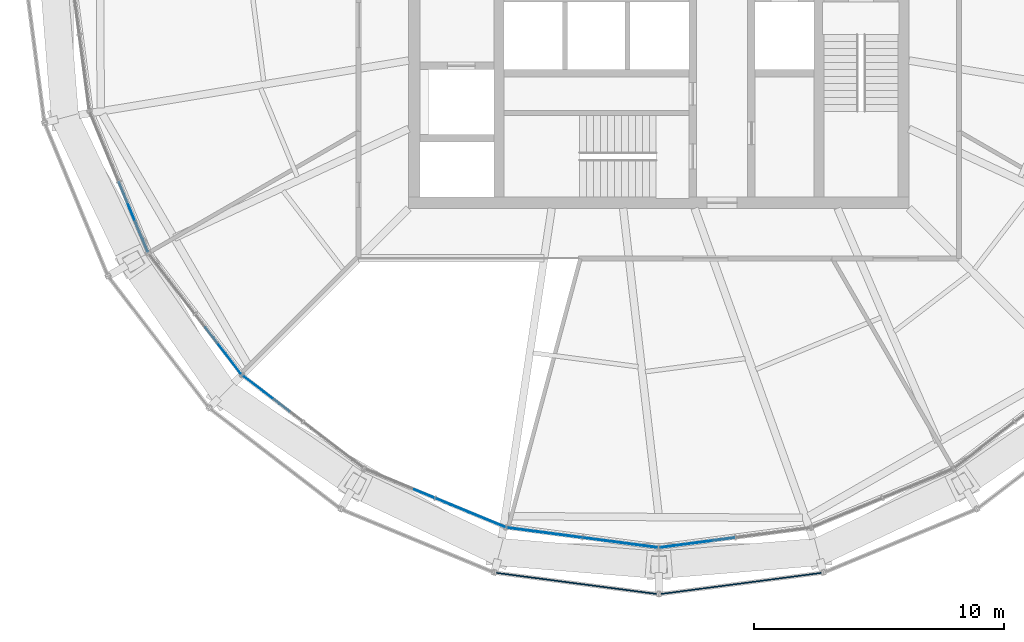
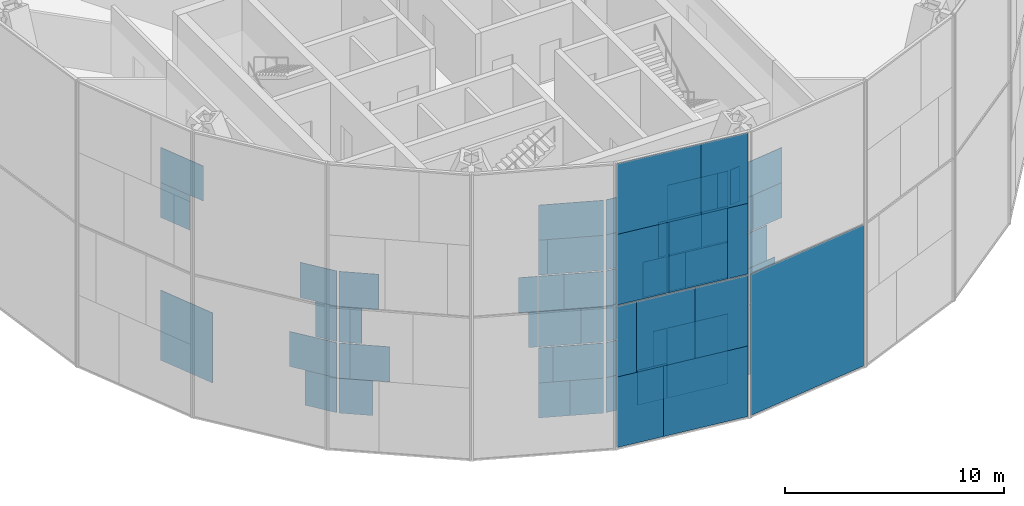
# One storey, part 12 of 26: 62 plates, 8 elements without a shape of their own.
"""IFC4 building model written with IfcOpenShell, lengths in metres."""

from ifc_helpers import new_model, si_unit, direction, frame, origin, origin_2d, place, context, subcontext, project, spatial, rectangle, extrude, material, layer, layer_set, type_object, element, aggregate, save


model = new_model("IFC4")

# Units and contexts
model_context = context("Model", 3, precision=1e-05, world=origin(), true_north=direction((0.0, 1.0)))
body_context = subcontext(model_context, "Body", "Model", "MODEL_VIEW")
ifc_project = project(units=[si_unit("LENGTHUNIT", "METRE"), si_unit("AREAUNIT", "SQUARE_METRE"), si_unit("VOLUMEUNIT", "CUBIC_METRE"), si_unit("PLANEANGLEUNIT", "RADIAN"), si_unit("MASSUNIT", "GRAM", prefix="KILO")], contexts=[model_context])

# Site, building, storey
site_placement = place(None, origin())
site = spatial("IfcSite", under=ifc_project, at=site_placement, CompositionType="ELEMENT")
building_placement = place(site_placement, origin())
building = spatial("IfcBuilding", under=site, at=building_placement, Name="Golbaran Civic Tower", CompositionType="ELEMENT")
storey_placement = place(building_placement, frame((0.0, 0.0, 199.0)))
storey = spatial("IfcBuildingStorey", under=building, at=storey_placement, Name="L48", CompositionType="ELEMENT", Elevation=199.0)

# Curtain wall, plate
ifc_material_1 = material(Name="Aluminium and glass", Category="aluminium")
curtain_wall_type_1 = type_object("IfcCurtainWallType", Name="INNER SKIN CURTAIN WALL EXECUTIVE", PredefinedType="NOTDEFINED", material=ifc_material_1)
curtain_wall_1_placement = place(storey_placement, origin())
curtain_wall_1 = element("IfcCurtainWall", 1, at=curtain_wall_1_placement, inside=storey, type_object=curtain_wall_type_1, Name="Inner skin L48 facet 14 CW2", ObjectType="INNER SKIN", PredefinedType="USERDEFINED")
ifc_material_2 = material(Name="Clear insulating glass", Category="glass")
ifc_layer_1 = layer(ifc_material_2, 0.031982421875, Name="Clear insulating glass")
ifc_layer_set_1 = layer_set([ifc_layer_1], Name="Clear insulating glass")
plate_type_1 = type_object("IfcPlateType", Name="INNER SKIN CURTAIN WALL EXECUTIVE GLAZED PANEL", PredefinedType="CURTAIN_PANEL", material=ifc_layer_set_1)
plate_1_placement = place(storey_placement, frame((-21.00390625, -10.3486328125, 0.06005859375), z_axis=(0.0, 0.0, 1.0), x_axis=(0.382683432349, -0.923879532518, 0.0)))
plate_1 = element("IfcPlate", 2, at=plate_1_placement, type_object=plate_type_1, Name="CW2 panel 2.1", PredefinedType="CURTAIN_PANEL", context=body_context, shape_type="SweptSolid", body=[
    extrude(rectangle(XDim=2.986083984375, YDim=0.031982421875, at=origin_2d()), origin(), (0.0, 0.0, 1.0), 3.909912109375),
])

# Curtain wall, plates
curtain_wall_2_placement = place(storey_placement, origin())
curtain_wall_2 = element("IfcCurtainWall", 3, at=curtain_wall_2_placement, inside=storey, type_object=curtain_wall_type_1, Name="Inner skin L48 facet 15 CW2", ObjectType="INNER SKIN", PredefinedType="USERDEFINED")
plate_2_placement = place(storey_placement, frame((-17.0166015625, -16.205322265625, 4.02978515625), z_axis=(0.0, 0.0, 1.0), x_axis=(0.60876142905, -0.793353340259, 0.0)))
plate_2 = element("IfcPlate", 4, at=plate_2_placement, type_object=plate_type_1, Name="CW2 panel 2.2 part 2", PredefinedType="CURTAIN_PANEL", context=body_context, shape_type="SweptSolid", body=[
    extrude(rectangle(XDim=1.037109375, YDim=0.031982421875, at=origin_2d()), origin(), (0.0, 0.0, 1.0), 1.969970703125),
])
plate_3_placement = place(storey_placement, frame((-17.255615234375, -15.89404296875, 6.0), z_axis=(0.0, 0.0, 1.0), x_axis=(0.60876142905, -0.793353340259, 0.0)))
plate_3 = element("IfcPlate", 5, at=plate_3_placement, type_object=plate_type_1, Name="CW2 panel 2.2 part 4", PredefinedType="CURTAIN_PANEL", context=body_context, shape_type="SweptSolid", body=[
    extrude(rectangle(XDim=1.822021484375, YDim=0.031982421875, at=origin_2d()), origin(), (0.0, 0.0, 1.0), 1.969970703125),
])

curtain_wall_3_placement = place(storey_placement, origin())
curtain_wall_3 = element("IfcCurtainWall", 6, at=curtain_wall_3_placement, inside=storey, type_object=curtain_wall_type_1, Name="Inner skin L48 facet 16 CW2", ObjectType="INNER SKIN", PredefinedType="USERDEFINED")
plate_4_placement = place(storey_placement, frame((-16.205322265625, -17.0166015625, 4.02978515625), z_axis=(0.0, 0.0, 1.0), x_axis=(0.793353340259, -0.60876142905, 0.0)))
plate_4 = element("IfcPlate", 7, at=plate_4_placement, type_object=plate_type_1, Name="CW2 panel 1.2 part 1", PredefinedType="CURTAIN_PANEL", context=body_context, shape_type="SweptSolid", body=[
    extrude(rectangle(XDim=1.037109375, YDim=0.031982421875, at=origin_2d()), origin(), (0.0, 0.0, 1.0), 1.969970703125),
])
plate_5_placement = place(storey_placement, frame((-15.89404296875, -17.25537109375, 6.0), z_axis=(0.0, 0.0, 1.0), x_axis=(0.793353340259, -0.60876142905, 0.0)))
plate_5 = element("IfcPlate", 8, at=plate_5_placement, type_object=plate_type_1, Name="CW2 panel 1.2 part 3", PredefinedType="CURTAIN_PANEL", context=body_context, shape_type="SweptSolid", body=[
    extrude(rectangle(XDim=1.822021484375, YDim=0.031982421875, at=origin_2d()), origin(), (0.0, 0.0, 1.0), 1.969970703125),
])

curtain_wall_4_placement = place(storey_placement, origin())
curtain_wall_4 = element("IfcCurtainWall", 9, at=curtain_wall_4_placement, inside=storey, type_object=curtain_wall_type_1, Name="Inner skin L48 facet 17 CW2", ObjectType="INNER SKIN", PredefinedType="USERDEFINED")
plate_6_placement = place(storey_placement, frame((-8.251953125, -21.87255859375, 0.06005859375), z_axis=(0.0, 0.0, 1.0), x_axis=(0.923879532518, -0.382683432349, 0.0)))
plate_6 = element("IfcPlate", 10, at=plate_6_placement, type_object=plate_type_1, Name="CW2 panel 2.1 part 1", PredefinedType="CURTAIN_PANEL", context=body_context, shape_type="SweptSolid", body=[
    extrude(rectangle(XDim=1.43310546875, YDim=0.031982421875, at=origin_2d()), origin(), (0.0, 0.0, 1.0), 1.955078125),
])
plate_7_placement = place(storey_placement, frame((-8.61181640625, -21.723388671875, 2.014892578125), z_axis=(0.0, 0.0, 1.0), x_axis=(0.923879532518, -0.382683432349, 0.0)))
plate_7 = element("IfcPlate", 11, at=plate_7_placement, type_object=plate_type_1, Name="CW2 panel 2.1 part 3", PredefinedType="CURTAIN_PANEL", context=body_context, shape_type="SweptSolid", body=[
    extrude(rectangle(XDim=0.654052734375, YDim=0.031982421875, at=origin_2d()), origin(), (0.0, 0.0, 1.0), 1.955078125),
])
plate_8_placement = place(storey_placement, frame((-6.634033203125, -22.54248046875, 4.02978515625), z_axis=(0.0, 0.0, 1.0), x_axis=(0.923879532518, -0.382683432349, 0.0)))
plate_8 = element("IfcPlate", 12, at=plate_8_placement, type_object=plate_type_1, Name="CW2 panel 2.2 part 2", PredefinedType="CURTAIN_PANEL", context=body_context, shape_type="SweptSolid", body=[
    extrude(rectangle(XDim=1.037109375, YDim=0.031982421875, at=origin_2d()), origin(), (0.0, 0.0, 1.0), 1.969970703125),
])
plate_9_placement = place(storey_placement, frame((-6.996826171875, -22.392333984375, 6.0), z_axis=(0.0, 0.0, 1.0), x_axis=(0.923879532518, -0.382683432349, 0.0)))
plate_9 = element("IfcPlate", 13, at=plate_9_placement, type_object=plate_type_1, Name="CW2 panel 2.2 part 4", PredefinedType="CURTAIN_PANEL", context=body_context, shape_type="SweptSolid", body=[
    extrude(rectangle(XDim=1.822021484375, YDim=0.031982421875, at=origin_2d()), origin(), (0.0, 0.0, 1.0), 1.969970703125),
])
plate_10_placement = place(storey_placement, frame((-7.349609375, -22.24609375, 8.030029296875), z_axis=(0.0, 0.0, 1.0), x_axis=(0.923879532518, -0.382683432349, 0.0)))
plate_10 = element("IfcPlate", 14, at=plate_10_placement, type_object=plate_type_1, Name="CW2 panel 2.3 part 2", PredefinedType="CURTAIN_PANEL", context=body_context, shape_type="SweptSolid", body=[
    extrude(rectangle(XDim=2.586181640625, YDim=0.031982421875, at=origin_2d()), origin(), (0.0, 0.0, 1.0), 1.955078125),
])
plate_11_placement = place(storey_placement, frame((-7.534423828125, -22.169677734375, 9.98486328125), z_axis=(0.0, 0.0, 1.0), x_axis=(0.923879532518, -0.382683432349, 0.0)))
plate_11 = element("IfcPlate", 15, at=plate_11_placement, type_object=plate_type_1, Name="CW2 panel 2.3 part 3", PredefinedType="CURTAIN_PANEL", context=body_context, shape_type="SweptSolid", body=[
    extrude(rectangle(XDim=2.986083984375, YDim=0.031982421875, at=origin_2d()), origin(), (0.0, 0.0, 1.0), 1.955078125),
])

curtain_wall_5_placement = place(storey_placement, origin())
curtain_wall_5 = element("IfcCurtainWall", 16, at=curtain_wall_5_placement, inside=storey, type_object=curtain_wall_type_1, Name="Inner skin L48 facet 18 CW2", ObjectType="INNER SKIN", PredefinedType="USERDEFINED")
plate_12_placement = place(storey_placement, frame((-3.7900390625, -23.068115234375, 0.06005859375), z_axis=(0.0, 0.0, 1.0), x_axis=(0.991444861372, -0.130526192237, 0.0)))
plate_12 = element("IfcPlate", 17, at=plate_12_placement, type_object=plate_type_1, Name="CW2 panel 1.1 part 2", PredefinedType="CURTAIN_PANEL", context=body_context, shape_type="SweptSolid", body=[
    extrude(rectangle(XDim=1.43310546875, YDim=0.031982421875, at=origin_2d()), origin(), (0.0, 0.0, 1.0), 1.955078125),
])
plate_13_placement = place(storey_placement, frame((-3.40380859375, -23.118896484375, 2.014892578125), z_axis=(0.0, 0.0, 1.0), x_axis=(0.991444861372, -0.130526192237, 0.0)))
plate_13 = element("IfcPlate", 18, at=plate_13_placement, type_object=plate_type_1, Name="CW2 panel 1.1 part 4", PredefinedType="CURTAIN_PANEL", context=body_context, shape_type="SweptSolid", body=[
    extrude(rectangle(XDim=0.654052734375, YDim=0.031982421875, at=origin_2d()), origin(), (0.0, 0.0, 1.0), 1.955078125),
])
plate_14_placement = place(storey_placement, frame((-5.526123046875, -22.839599609375, 4.02978515625), z_axis=(0.0, 0.0, 1.0), x_axis=(0.991444861372, -0.130526192237, 0.0)))
plate_14 = element("IfcPlate", 19, at=plate_14_placement, type_object=plate_type_1, Name="CW2 panel 1.2 part 1", PredefinedType="CURTAIN_PANEL", context=body_context, shape_type="SweptSolid", body=[
    extrude(rectangle(XDim=1.037109375, YDim=0.031982421875, at=origin_2d()), origin(), (0.0, 0.0, 1.0), 1.969970703125),
])
plate_15_placement = place(storey_placement, frame((-5.136962890625, -22.890625, 6.0), z_axis=(0.0, 0.0, 1.0), x_axis=(0.991444861372, -0.130526192237, 0.0)))
plate_15 = element("IfcPlate", 20, at=plate_15_placement, type_object=plate_type_1, Name="CW2 panel 1.2 part 3", PredefinedType="CURTAIN_PANEL", context=body_context, shape_type="SweptSolid", body=[
    extrude(rectangle(XDim=1.822021484375, YDim=0.031982421875, at=origin_2d()), origin(), (0.0, 0.0, 1.0), 1.969970703125),
])
plate_16_placement = place(storey_placement, frame((-4.758544921875, -22.9404296875, 8.030029296875), z_axis=(0.0, 0.0, 1.0), x_axis=(0.991444861372, -0.130526192237, 0.0)))
plate_16 = element("IfcPlate", 21, at=plate_16_placement, type_object=plate_type_1, Name="CW2 panel 1.3 part 1", PredefinedType="CURTAIN_PANEL", context=body_context, shape_type="SweptSolid", body=[
    extrude(rectangle(XDim=2.5849609375, YDim=0.031982421875, at=origin_2d()), origin(), (0.0, 0.0, 1.0), 1.955078125),
])
plate_17_placement = place(storey_placement, frame((-4.559814453125, -22.966796875, 9.98486328125), z_axis=(0.0, 0.0, 1.0), x_axis=(0.991444861372, -0.130526192237, 0.0)))
plate_17 = element("IfcPlate", 22, at=plate_17_placement, type_object=plate_type_1, Name="CW2 panel 1.3 part 3", PredefinedType="CURTAIN_PANEL", context=body_context, shape_type="SweptSolid", body=[
    extrude(rectangle(XDim=2.986083984375, YDim=0.031982421875, at=origin_2d()), origin(), (0.0, 0.0, 1.0), 1.955078125),
])
plate_18_placement = place(storey_placement, frame((-1.539794921875, -23.3642578125, 0.06005859375), z_axis=(0.0, 0.0, 1.0), x_axis=(0.991444861372, -0.130526192237, 0.0)))
plate_18 = element("IfcPlate", 23, at=plate_18_placement, type_object=plate_type_1, Name="CW2 panel 2.1", PredefinedType="CURTAIN_PANEL", context=body_context, shape_type="SweptSolid", body=[
    extrude(rectangle(XDim=2.986083984375, YDim=0.031982421875, at=origin_2d()), origin(), (0.0, 0.0, 1.0), 3.909912109375),
])
plate_19_placement = place(storey_placement, frame((-1.341552734375, -23.390380859375, 4.02978515625), z_axis=(0.0, 0.0, 1.0), x_axis=(0.991444861372, -0.130526192237, 0.0)))
plate_19 = element("IfcPlate", 24, at=plate_19_placement, type_object=plate_type_1, Name="CW2 panel 2.2 part 2", PredefinedType="CURTAIN_PANEL", context=body_context, shape_type="SweptSolid", body=[
    extrude(rectangle(XDim=2.586181640625, YDim=0.031982421875, at=origin_2d()), origin(), (0.0, 0.0, 1.0), 1.969970703125),
])
plate_20_placement = place(storey_placement, frame((-1.10400390625, -23.421630859375, 6.0), z_axis=(0.0, 0.0, 1.0), x_axis=(0.991444861372, -0.130526192237, 0.0)))
plate_20 = element("IfcPlate", 25, at=plate_20_placement, type_object=plate_type_1, Name="CW2 panel 2.2 part 4", PredefinedType="CURTAIN_PANEL", context=body_context, shape_type="SweptSolid", body=[
    extrude(rectangle(XDim=2.107177734375, YDim=0.031982421875, at=origin_2d()), origin(), (0.0, 0.0, 1.0), 1.969970703125),
])
plate_21_placement = place(storey_placement, frame((-0.7060546875, -23.47412109375, 8.030029296875), z_axis=(0.0, 0.0, 1.0), x_axis=(0.991444861372, -0.130526192237, 0.0)))
plate_21 = element("IfcPlate", 26, at=plate_21_placement, type_object=plate_type_1, Name="CW2 panel 2.3 part 2", PredefinedType="CURTAIN_PANEL", context=body_context, shape_type="SweptSolid", body=[
    extrude(rectangle(XDim=1.30419921875, YDim=0.031982421875, at=origin_2d()), origin(), (0.0, 0.0, 1.0), 1.955078125),
])
plate_22_placement = place(storey_placement, frame((-0.31982421875, -23.52490234375, 9.98486328125), z_axis=(0.0, 0.0, 1.0), x_axis=(0.991444861372, -0.130526192237, 0.0)))
plate_22 = element("IfcPlate", 27, at=plate_22_placement, type_object=plate_type_1, Name="CW2 panel 2.3 part 4", PredefinedType="CURTAIN_PANEL", context=body_context, shape_type="SweptSolid", body=[
    extrude(rectangle(XDim=0.525146484375, YDim=0.031982421875, at=origin_2d()), origin(), (0.0, 0.0, 1.0), 1.955078125),
])

curtain_wall_6_placement = place(storey_placement, origin())
curtain_wall_6 = element("IfcCurtainWall", 28, at=curtain_wall_6_placement, inside=storey, type_object=curtain_wall_type_1, Name="Inner skin L48 facet 19 CW2", ObjectType="INNER SKIN", PredefinedType="USERDEFINED")
plate_23_placement = place(storey_placement, frame((1.539794921875, -23.3642578125, 0.06005859375), z_axis=(0.0, 0.0, 1.0), x_axis=(0.991444861372, 0.130526192237, 0.0)))
plate_23 = element("IfcPlate", 29, at=plate_23_placement, type_object=plate_type_1, Name="CW2 panel 1.1", PredefinedType="CURTAIN_PANEL", context=body_context, shape_type="SweptSolid", body=[
    extrude(rectangle(XDim=2.986083984375, YDim=0.031982421875, at=origin_2d()), origin(), (0.0, 0.0, 1.0), 3.909912109375),
])
plate_24_placement = place(storey_placement, frame((1.3408203125, -23.390380859375, 4.02978515625), z_axis=(0.0, 0.0, 1.0), x_axis=(0.991444861372, 0.130526192237, 0.0)))
plate_24 = element("IfcPlate", 30, at=plate_24_placement, type_object=plate_type_1, Name="CW2 panel 1.2 part 1", PredefinedType="CURTAIN_PANEL", context=body_context, shape_type="SweptSolid", body=[
    extrude(rectangle(XDim=2.5849609375, YDim=0.031982421875, at=origin_2d()), origin(), (0.0, 0.0, 1.0), 1.969970703125),
])
plate_25_placement = place(storey_placement, frame((1.10400390625, -23.421630859375, 6.0), z_axis=(0.0, 0.0, 1.0), x_axis=(0.991444861372, 0.130526192237, 0.0)))
plate_25 = element("IfcPlate", 31, at=plate_25_placement, type_object=plate_type_1, Name="CW2 panel 1.2 part 3", PredefinedType="CURTAIN_PANEL", context=body_context, shape_type="SweptSolid", body=[
    extrude(rectangle(XDim=2.10693359375, YDim=0.031982421875, at=origin_2d()), origin(), (0.0, 0.0, 1.0), 1.969970703125),
])
plate_26_placement = place(storey_placement, frame((0.705810546875, -23.47412109375, 8.030029296875), z_axis=(0.0, 0.0, 1.0), x_axis=(0.991444861372, 0.130526192237, 0.0)))
plate_26 = element("IfcPlate", 32, at=plate_26_placement, type_object=plate_type_1, Name="CW2 panel 1.3 part 1", PredefinedType="CURTAIN_PANEL", context=body_context, shape_type="SweptSolid", body=[
    extrude(rectangle(XDim=1.303955078125, YDim=0.031982421875, at=origin_2d()), origin(), (0.0, 0.0, 1.0), 1.955078125),
])
plate_27_placement = place(storey_placement, frame((0.31982421875, -23.52490234375, 9.98486328125), z_axis=(0.0, 0.0, 1.0), x_axis=(0.991444861372, 0.130526192237, 0.0)))
plate_27 = element("IfcPlate", 33, at=plate_27_placement, type_object=plate_type_1, Name="CW2 panel 1.3 part 3", PredefinedType="CURTAIN_PANEL", context=body_context, shape_type="SweptSolid", body=[
    extrude(rectangle(XDim=0.52490234375, YDim=0.031982421875, at=origin_2d()), origin(), (0.0, 0.0, 1.0), 1.955078125),
])

# Plate
ifc_material_3 = material(Name="Aluminium faced opaque infill panel", Category="aluminium")
ifc_layer_2 = layer(ifc_material_3, 0.031982421875, Name="Aluminium faced opaque infill panel")
ifc_layer_set_2 = layer_set([ifc_layer_2], Name="Aluminium faced opaque infill panel")
plate_type_2 = type_object("IfcPlateType", Name="INNER SKIN CURTAIN WALL EXECUTIVE OPAQUE INFILL PANEL", PredefinedType="CURTAIN_PANEL", material=ifc_layer_set_2)
plate_28_placement = place(storey_placement, frame((-21.25341796875, -9.746337890625, 8.030029296875), z_axis=(0.0, 0.0, 1.0), x_axis=(0.382683432349, -0.923879532518, 0.0)))
plate_28 = element("IfcPlate", 34, at=plate_28_placement, type_object=plate_type_2, Name="CW2 infill panel 2.3 part 1", PredefinedType="CURTAIN_PANEL", context=body_context, shape_type="SweptSolid", body=[
    extrude(rectangle(XDim=1.681884765625, YDim=0.031982421875, at=origin_2d()), origin(), (0.0, 0.0, 1.0), 1.955078125),
])

plate_29_placement = place(storey_placement, frame((-21.1044921875, -10.106201171875, 9.98486328125), z_axis=(0.0, 0.0, 1.0), x_axis=(0.382683432349, -0.923879532518, 0.0)))
plate_29 = element("IfcPlate", 35, at=plate_29_placement, type_object=plate_type_2, Name="CW2 infill panel 2.3 part 3", PredefinedType="CURTAIN_PANEL", context=body_context, shape_type="SweptSolid", body=[
    extrude(rectangle(XDim=2.4609375, YDim=0.031982421875, at=origin_2d()), origin(), (0.0, 0.0, 1.0), 1.955078125),
])

aggregate(curtain_wall_1, [plate_1, plate_28, plate_29])

plate_30_placement = place(storey_placement, frame((-17.173583984375, -16.000732421875, 0.06005859375), z_axis=(0.0, 0.0, 1.0), x_axis=(0.60876142905, -0.793353340259, 0.0)))
plate_30 = element("IfcPlate", 36, at=plate_30_placement, type_object=plate_type_2, Name="CW2 infill panel 2.1 part 2", PredefinedType="CURTAIN_PANEL", context=body_context, shape_type="SweptSolid", body=[
    extrude(rectangle(XDim=1.55322265625, YDim=0.031982421875, at=origin_2d()), origin(), (0.0, 0.0, 1.0), 1.955078125),
])

plate_31_placement = place(storey_placement, frame((-17.41064453125, -15.691650390625, 2.014892578125), z_axis=(0.0, 0.0, 1.0), x_axis=(0.60876142905, -0.793353340259, 0.0)))
plate_31 = element("IfcPlate", 37, at=plate_31_placement, type_object=plate_type_2, Name="CW2 infill panel 2.1 part 4", PredefinedType="CURTAIN_PANEL", context=body_context, shape_type="SweptSolid", body=[
    extrude(rectangle(XDim=2.33203125, YDim=0.031982421875, at=origin_2d()), origin(), (0.0, 0.0, 1.0), 1.955078125),
])

aggregate(curtain_wall_2, [plate_30, plate_31, plate_2, plate_3])

plate_32_placement = place(storey_placement, frame((-16.000732421875, -17.173583984375, 0.06005859375), z_axis=(0.0, 0.0, 1.0), x_axis=(0.793353340259, -0.60876142905, 0.0)))
plate_32 = element("IfcPlate", 38, at=plate_32_placement, type_object=plate_type_2, Name="CW2 infill panel 1.1 part 1", PredefinedType="CURTAIN_PANEL", context=body_context, shape_type="SweptSolid", body=[
    extrude(rectangle(XDim=1.552978515625, YDim=0.031982421875, at=origin_2d()), origin(), (0.0, 0.0, 1.0), 1.955078125),
])

plate_33_placement = place(storey_placement, frame((-15.691650390625, -17.41064453125, 2.014892578125), z_axis=(0.0, 0.0, 1.0), x_axis=(0.793353340259, -0.60876142905, 0.0)))
plate_33 = element("IfcPlate", 39, at=plate_33_placement, type_object=plate_type_2, Name="CW2 infill panel 1.1 part 3", PredefinedType="CURTAIN_PANEL", context=body_context, shape_type="SweptSolid", body=[
    extrude(rectangle(XDim=2.33203125, YDim=0.031982421875, at=origin_2d()), origin(), (0.0, 0.0, 1.0), 1.955078125),
])

aggregate(curtain_wall_3, [plate_32, plate_33, plate_4, plate_5])

plate_34_placement = place(storey_placement, frame((-9.154541015625, -21.49853515625, 4.02978515625), z_axis=(0.0, 0.0, 1.0), x_axis=(0.923879532518, -0.382683432349, 0.0)))
plate_34 = element("IfcPlate", 40, at=plate_34_placement, type_object=plate_type_2, Name="CW2 infill panel 1.2 part 2", PredefinedType="CURTAIN_PANEL", context=body_context, shape_type="SweptSolid", body=[
    extrude(rectangle(XDim=0.401123046875, YDim=0.031982421875, at=origin_2d()), origin(), (0.0, 0.0, 1.0), 1.969970703125),
])

plate_35_placement = place(storey_placement, frame((-9.375244140625, -21.4072265625, 6.0), z_axis=(0.0, 0.0, 1.0), x_axis=(0.923879532518, -0.382683432349, 0.0)))
plate_35 = element("IfcPlate", 41, at=plate_35_placement, type_object=plate_type_2, Name="CW2 infill panel 1.2 part 4", PredefinedType="CURTAIN_PANEL", context=body_context, shape_type="SweptSolid", body=[
    extrude(rectangle(XDim=0.879150390625, YDim=0.031982421875, at=origin_2d()), origin(), (0.0, 0.0, 1.0), 1.969970703125),
])

plate_36_placement = place(storey_placement, frame((-6.87255859375, -22.44384765625, 0.06005859375), z_axis=(0.0, 0.0, 1.0), x_axis=(0.923879532518, -0.382683432349, 0.0)))
plate_36 = element("IfcPlate", 42, at=plate_36_placement, type_object=plate_type_2, Name="CW2 infill panel 2.1 part 2", PredefinedType="CURTAIN_PANEL", context=body_context, shape_type="SweptSolid", body=[
    extrude(rectangle(XDim=1.55322265625, YDim=0.031982421875, at=origin_2d()), origin(), (0.0, 0.0, 1.0), 1.955078125),
])

plate_37_placement = place(storey_placement, frame((-7.232421875, -22.294677734375, 2.014892578125), z_axis=(0.0, 0.0, 1.0), x_axis=(0.923879532518, -0.382683432349, 0.0)))
plate_37 = element("IfcPlate", 43, at=plate_37_placement, type_object=plate_type_2, Name="CW2 infill panel 2.1 part 4", PredefinedType="CURTAIN_PANEL", context=body_context, shape_type="SweptSolid", body=[
    extrude(rectangle(XDim=2.33203125, YDim=0.031982421875, at=origin_2d()), origin(), (0.0, 0.0, 1.0), 1.955078125),
])

plate_38_placement = place(storey_placement, frame((-8.013427734375, -21.97119140625, 4.02978515625), z_axis=(0.0, 0.0, 1.0), x_axis=(0.923879532518, -0.382683432349, 0.0)))
plate_38 = element("IfcPlate", 44, at=plate_38_placement, type_object=plate_type_2, Name="CW2 infill panel 2.2 part 1", PredefinedType="CURTAIN_PANEL", context=body_context, shape_type="SweptSolid", body=[
    extrude(rectangle(XDim=1.948974609375, YDim=0.031982421875, at=origin_2d()), origin(), (0.0, 0.0, 1.0), 1.969970703125),
])

plate_39_placement = place(storey_placement, frame((-8.376220703125, -21.821044921875, 6.0), z_axis=(0.0, 0.0, 1.0), x_axis=(0.923879532518, -0.382683432349, 0.0)))
plate_39 = element("IfcPlate", 45, at=plate_39_placement, type_object=plate_type_2, Name="CW2 infill panel 2.2 part 3", PredefinedType="CURTAIN_PANEL", context=body_context, shape_type="SweptSolid", body=[
    extrude(rectangle(XDim=1.1640625, YDim=0.031982421875, at=origin_2d()), origin(), (0.0, 0.0, 1.0), 1.969970703125),
])

plate_40_placement = place(storey_placement, frame((-8.72900390625, -21.6748046875, 8.030029296875), z_axis=(0.0, 0.0, 1.0), x_axis=(0.923879532518, -0.382683432349, 0.0)))
plate_40 = element("IfcPlate", 46, at=plate_40_placement, type_object=plate_type_2, Name="CW2 infill panel 2.3 part 1", PredefinedType="CURTAIN_PANEL", context=body_context, shape_type="SweptSolid", body=[
    extrude(rectangle(XDim=0.39990234375, YDim=0.031982421875, at=origin_2d()), origin(), (0.0, 0.0, 1.0), 1.955078125),
])

aggregate(curtain_wall_4, [plate_34, plate_35, plate_6, plate_36, plate_7, plate_37, plate_38, plate_8, plate_39, plate_9, plate_40, plate_10, plate_11])

plate_41_placement = place(storey_placement, frame((-5.270263671875, -22.873046875, 0.06005859375), z_axis=(0.0, 0.0, 1.0), x_axis=(0.991444861372, -0.130526192237, 0.0)))
plate_41 = element("IfcPlate", 47, at=plate_41_placement, type_object=plate_type_2, Name="CW2 infill panel 1.1 part 1", PredefinedType="CURTAIN_PANEL", context=body_context, shape_type="SweptSolid", body=[
    extrude(rectangle(XDim=1.552978515625, YDim=0.031982421875, at=origin_2d()), origin(), (0.0, 0.0, 1.0), 1.955078125),
])

plate_42_placement = place(storey_placement, frame((-4.884033203125, -22.924072265625, 2.014892578125), z_axis=(0.0, 0.0, 1.0), x_axis=(0.991444861372, -0.130526192237, 0.0)))
plate_42 = element("IfcPlate", 48, at=plate_42_placement, type_object=plate_type_2, Name="CW2 infill panel 1.1 part 3", PredefinedType="CURTAIN_PANEL", context=body_context, shape_type="SweptSolid", body=[
    extrude(rectangle(XDim=2.33203125, YDim=0.031982421875, at=origin_2d()), origin(), (0.0, 0.0, 1.0), 1.955078125),
])

plate_43_placement = place(storey_placement, frame((-4.045654296875, -23.034423828125, 4.02978515625), z_axis=(0.0, 0.0, 1.0), x_axis=(0.991444861372, -0.130526192237, 0.0)))
plate_43 = element("IfcPlate", 49, at=plate_43_placement, type_object=plate_type_2, Name="CW2 infill panel 1.2 part 2", PredefinedType="CURTAIN_PANEL", context=body_context, shape_type="SweptSolid", body=[
    extrude(rectangle(XDim=1.94921875, YDim=0.031982421875, at=origin_2d()), origin(), (0.0, 0.0, 1.0), 1.969970703125),
])

plate_44_placement = place(storey_placement, frame((-3.656494140625, -23.085693359375, 6.0), z_axis=(0.0, 0.0, 1.0), x_axis=(0.991444861372, -0.130526192237, 0.0)))
plate_44 = element("IfcPlate", 50, at=plate_44_placement, type_object=plate_type_2, Name="CW2 infill panel 1.2 part 4", PredefinedType="CURTAIN_PANEL", context=body_context, shape_type="SweptSolid", body=[
    extrude(rectangle(XDim=1.1640625, YDim=0.031982421875, at=origin_2d()), origin(), (0.0, 0.0, 1.0), 1.969970703125),
])

plate_45_placement = place(storey_placement, frame((-3.2783203125, -23.135498046875, 8.030029296875), z_axis=(0.0, 0.0, 1.0), x_axis=(0.991444861372, -0.130526192237, 0.0)))
plate_45 = element("IfcPlate", 51, at=plate_45_placement, type_object=plate_type_2, Name="CW2 infill panel 1.3 part 2", PredefinedType="CURTAIN_PANEL", context=body_context, shape_type="SweptSolid", body=[
    extrude(rectangle(XDim=0.401123046875, YDim=0.031982421875, at=origin_2d()), origin(), (0.0, 0.0, 1.0), 1.955078125),
])

plate_46_placement = place(storey_placement, frame((-2.82177734375, -23.195556640625, 4.02978515625), z_axis=(0.0, 0.0, 1.0), x_axis=(0.991444861372, -0.130526192237, 0.0)))
plate_46 = element("IfcPlate", 52, at=plate_46_placement, type_object=plate_type_2, Name="CW2 infill panel 2.2 part 1", PredefinedType="CURTAIN_PANEL", context=body_context, shape_type="SweptSolid", body=[
    extrude(rectangle(XDim=0.39990234375, YDim=0.031982421875, at=origin_2d()), origin(), (0.0, 0.0, 1.0), 1.969970703125),
])

plate_47_placement = place(storey_placement, frame((-2.584228515625, -23.226806640625, 6.0), z_axis=(0.0, 0.0, 1.0), x_axis=(0.991444861372, -0.130526192237, 0.0)))
plate_47 = element("IfcPlate", 53, at=plate_47_placement, type_object=plate_type_2, Name="CW2 infill panel 2.2 part 3", PredefinedType="CURTAIN_PANEL", context=body_context, shape_type="SweptSolid", body=[
    extrude(rectangle(XDim=0.87890625, YDim=0.031982421875, at=origin_2d()), origin(), (0.0, 0.0, 1.0), 1.969970703125),
])

plate_48_placement = place(storey_placement, frame((-2.186279296875, -23.279296875, 8.030029296875), z_axis=(0.0, 0.0, 1.0), x_axis=(0.991444861372, -0.130526192237, 0.0)))
plate_48 = element("IfcPlate", 54, at=plate_48_placement, type_object=plate_type_2, Name="CW2 infill panel 2.3 part 1", PredefinedType="CURTAIN_PANEL", context=body_context, shape_type="SweptSolid", body=[
    extrude(rectangle(XDim=1.681884765625, YDim=0.031982421875, at=origin_2d()), origin(), (0.0, 0.0, 1.0), 1.955078125),
])

plate_49_placement = place(storey_placement, frame((-1.800048828125, -23.330078125, 9.98486328125), z_axis=(0.0, 0.0, 1.0), x_axis=(0.991444861372, -0.130526192237, 0.0)))
plate_49 = element("IfcPlate", 55, at=plate_49_placement, type_object=plate_type_2, Name="CW2 infill panel 2.3 part 3", PredefinedType="CURTAIN_PANEL", context=body_context, shape_type="SweptSolid", body=[
    extrude(rectangle(XDim=2.4609375, YDim=0.031982421875, at=origin_2d()), origin(), (0.0, 0.0, 1.0), 1.955078125),
])

aggregate(curtain_wall_5, [plate_41, plate_12, plate_42, plate_13, plate_14, plate_43, plate_15, plate_44, plate_16, plate_45, plate_17, plate_18, plate_46, plate_19, plate_47, plate_20, plate_48, plate_21, plate_49, plate_22])

plate_50_placement = place(storey_placement, frame((2.186279296875, -23.279296875, 8.030029296875), z_axis=(0.0, 0.0, 1.0), x_axis=(0.991444861372, 0.130526192237, 0.0)))
plate_50 = element("IfcPlate", 56, at=plate_50_placement, type_object=plate_type_2, Name="CW2 infill panel 1.3 part 2", PredefinedType="CURTAIN_PANEL", context=body_context, shape_type="SweptSolid", body=[
    extrude(rectangle(XDim=1.68212890625, YDim=0.031982421875, at=origin_2d()), origin(), (0.0, 0.0, 1.0), 1.955078125),
])

plate_51_placement = place(storey_placement, frame((1.800048828125, -23.330078125, 9.98486328125), z_axis=(0.0, 0.0, 1.0), x_axis=(0.991444861372, 0.130526192237, 0.0)))
plate_51 = element("IfcPlate", 57, at=plate_51_placement, type_object=plate_type_2, Name="CW2 infill panel 1.3 part 4", PredefinedType="CURTAIN_PANEL", context=body_context, shape_type="SweptSolid", body=[
    extrude(rectangle(XDim=2.461181640625, YDim=0.031982421875, at=origin_2d()), origin(), (0.0, 0.0, 1.0), 1.955078125),
])

aggregate(curtain_wall_6, [plate_23, plate_24, plate_25, plate_26, plate_50, plate_27, plate_51])

# Curtain wall, plates
curtain_wall_type_2 = type_object("IfcCurtainWallType", Name="OUTER SKIN TERRACOTTA SCREEN", PredefinedType="NOTDEFINED", material=ifc_material_1)
curtain_wall_7_placement = place(storey_placement, origin())
curtain_wall_7 = element("IfcCurtainWall", 58, at=curtain_wall_7_placement, inside=storey, type_object=curtain_wall_type_2, Name="Outer skin L48 facet 18 CW3", ObjectType="OUTER SKIN", PredefinedType="USERDEFINED")
ifc_material_4 = material(Name="Clear laminated glass", Category="glass")
ifc_layer_3 = layer(ifc_material_4, 0.0400390625, Name="Clear laminated glass")
ifc_layer_set_3 = layer_set([ifc_layer_3], Name="Clear laminated glass")
plate_type_3 = type_object("IfcPlateType", Name="OUTER SKIN CLEAR GLASS PANEL", PredefinedType="CURTAIN_PANEL", material=ifc_layer_set_3)
plate_52_placement = place(storey_placement, frame((-2.154541015625, -25.144287109375, -0.6298828125), z_axis=(0.0, 0.0, 1.0), x_axis=(0.991444861376, -0.130526192203, 0.0)))
plate_52 = element("IfcPlate", 59, at=plate_52_placement, type_object=plate_type_3, Name="CW3 panel 1.1 part 2", PredefinedType="CURTAIN_PANEL", context=body_context, shape_type="SweptSolid", body=[
    extrude(rectangle(XDim=4.18603515625, YDim=0.0400390625, at=origin_2d()), origin(), (0.0, 0.0, 1.0), 3.93994140625),
])
plate_53_placement = place(storey_placement, frame((-6.01953125, -24.635498046875, 3.31005859375), z_axis=(0.0, 0.0, 1.0), x_axis=(0.991444861376, -0.130526192203, 0.0)))
plate_53 = element("IfcPlate", 60, at=plate_53_placement, type_object=plate_type_3, Name="CW3 panel 1.1 part 3", PredefinedType="CURTAIN_PANEL", context=body_context, shape_type="SweptSolid", body=[
    extrude(rectangle(XDim=0.972900390625, YDim=0.0400390625, at=origin_2d()), origin(), (0.0, 0.0, 1.0), 3.93994140625),
])
plate_54_placement = place(storey_placement, frame((-1.376708984375, -25.246826171875, 3.31005859375), z_axis=(0.0, 0.0, 1.0), x_axis=(0.991444861376, -0.130526192203, 0.0)))
plate_54 = element("IfcPlate", 61, at=plate_54_placement, type_object=plate_type_3, Name="CW3 panel 1.1 part 5", PredefinedType="CURTAIN_PANEL", context=body_context, shape_type="SweptSolid", body=[
    extrude(rectangle(XDim=2.616943359375, YDim=0.0400390625, at=origin_2d()), origin(), (0.0, 0.0, 1.0), 3.93994140625),
])
plate_55_placement = place(storey_placement, frame((-5.224853515625, -24.740234375, 7.330078125), z_axis=(0.0, 0.0, 1.0), x_axis=(0.991444861376, -0.130526192203, 0.0)))
plate_55 = element("IfcPlate", 62, at=plate_55_placement, type_object=plate_type_3, Name="CW3 panel 1.2 part 1", PredefinedType="CURTAIN_PANEL", context=body_context, shape_type="SweptSolid", body=[
    extrude(rectangle(XDim=2.575927734375, YDim=0.0400390625, at=origin_2d()), origin(), (0.0, 0.0, 1.0), 3.93994140625),
])
plate_56_placement = place(storey_placement, frame((-0.58251953125, -25.351318359375, 7.330078125), z_axis=(0.0, 0.0, 1.0), x_axis=(0.991444861376, -0.130526192203, 0.0)))
plate_56 = element("IfcPlate", 63, at=plate_56_placement, type_object=plate_type_3, Name="CW3 panel 1.2 part 3", PredefinedType="CURTAIN_PANEL", context=body_context, shape_type="SweptSolid", body=[
    extrude(rectangle(XDim=1.01513671875, YDim=0.0400390625, at=origin_2d()), origin(), (0.0, 0.0, 1.0), 3.93994140625),
])
plate_57_placement = place(storey_placement, frame((-4.445068359375, -24.8427734375, 11.27001953125), z_axis=(0.0, 0.0, 1.0), x_axis=(0.991444861376, -0.130526192203, 0.0)))
plate_57 = element("IfcPlate", 64, at=plate_57_placement, type_object=plate_type_3, Name="CW3 panel 1.2 part 4", PredefinedType="CURTAIN_PANEL", context=body_context, shape_type="SweptSolid", body=[
    extrude(rectangle(XDim=4.14892578125, YDim=0.0400390625, at=origin_2d()), origin(), (0.0, 0.0, 1.0), 3.93994140625),
])
ifc_material_5 = material(Name="Terracotta baguette screen", Category="masonry")
ifc_layer_4 = layer(ifc_material_5, 0.0400390625, Name="Terracotta baguette screen")
ifc_layer_set_4 = layer_set([ifc_layer_4], Name="Terracotta baguette screen")
plate_type_4 = type_object("IfcPlateType", Name="OUTER SKIN TERRACOTTA INFILL PANEL", PredefinedType="CURTAIN_PANEL", material=ifc_layer_set_4)
plate_58_placement = place(storey_placement, frame((-5.36572265625, -24.7216796875, -0.6298828125), z_axis=(0.0, 0.0, 1.0), x_axis=(0.991444861376, -0.130526192203, 0.0)))
plate_58 = element("IfcPlate", 65, at=plate_58_placement, type_object=plate_type_4, Name="CW3 infill panel 1.1 part 1", PredefinedType="CURTAIN_PANEL", context=body_context, shape_type="SweptSolid", body=[
    extrude(rectangle(XDim=2.2919921875, YDim=0.0400390625, at=origin_2d()), origin(), (0.0, 0.0, 1.0), 3.93994140625),
])
plate_59_placement = place(storey_placement, frame((-4.105712890625, -24.887451171875, 3.31005859375), z_axis=(0.0, 0.0, 1.0), x_axis=(0.991444861376, -0.130526192203, 0.0)))
plate_59 = element("IfcPlate", 66, at=plate_59_placement, type_object=plate_type_4, Name="CW3 infill panel 1.1 part 4", PredefinedType="CURTAIN_PANEL", context=body_context, shape_type="SweptSolid", body=[
    extrude(rectangle(XDim=2.887939453125, YDim=0.0400390625, at=origin_2d()), origin(), (0.0, 0.0, 1.0), 3.93994140625),
])
plate_60_placement = place(storey_placement, frame((-2.516845703125, -25.0966796875, 7.330078125), z_axis=(0.0, 0.0, 1.0), x_axis=(0.991444861376, -0.130526192203, 0.0)))
plate_60 = element("IfcPlate", 67, at=plate_60_placement, type_object=plate_type_4, Name="CW3 infill panel 1.2 part 2", PredefinedType="CURTAIN_PANEL", context=body_context, shape_type="SweptSolid", body=[
    extrude(rectangle(XDim=2.886962890625, YDim=0.0400390625, at=origin_2d()), origin(), (0.0, 0.0, 1.0), 3.93994140625),
])
plate_61_placement = place(storey_placement, frame((-1.23388671875, -25.265625, 11.27001953125), z_axis=(0.0, 0.0, 1.0), x_axis=(0.991444861376, -0.130526192203, 0.0)))
plate_61 = element("IfcPlate", 68, at=plate_61_placement, type_object=plate_type_4, Name="CW3 infill panel 1.2 part 5", PredefinedType="CURTAIN_PANEL", context=body_context, shape_type="SweptSolid", body=[
    extrude(rectangle(XDim=2.3291015625, YDim=0.0400390625, at=origin_2d()), origin(), (0.0, 0.0, 1.0), 3.93994140625),
])
aggregate(curtain_wall_7, [plate_58, plate_52, plate_53, plate_59, plate_54, plate_55, plate_60, plate_56, plate_57, plate_61])

# Curtain wall, plate
curtain_wall_8_placement = place(storey_placement, origin())
curtain_wall_8 = element("IfcCurtainWall", 69, at=curtain_wall_8_placement, inside=storey, type_object=curtain_wall_type_2, Name="Outer skin L48 facet 19 CW3", ObjectType="OUTER SKIN", PredefinedType="USERDEFINED")
ifc_layer_5 = layer(ifc_material_5, 0.0400390625, Name="Terracotta baguette screen")
ifc_layer_set_5 = layer_set([ifc_layer_5], Name="Terracotta baguette screen")
plate_type_5 = type_object("IfcPlateType", Name="OUTER SKIN TERRACOTTA SCREEN PANEL", PredefinedType="CURTAIN_PANEL", material=ifc_layer_set_5)
plate_62_placement = place(storey_placement, frame((3.29052734375, -24.994873046875, -0.6298828125), z_axis=(0.0, 0.0, 1.0), x_axis=(0.991444861376, 0.130526192203, 0.0)))
plate_62 = element("IfcPlate", 70, at=plate_62_placement, type_object=plate_type_5, Name="CW3 terracotta screen panel 1.1", PredefinedType="CURTAIN_PANEL", context=body_context, shape_type="SweptSolid", body=[
    extrude(rectangle(XDim=6.47802734375, YDim=0.0400390625, at=origin_2d()), origin(), (0.0, 0.0, 1.0), 7.8798828125),
])
aggregate(curtain_wall_8, [plate_62])

save(model, "model.ifc")
